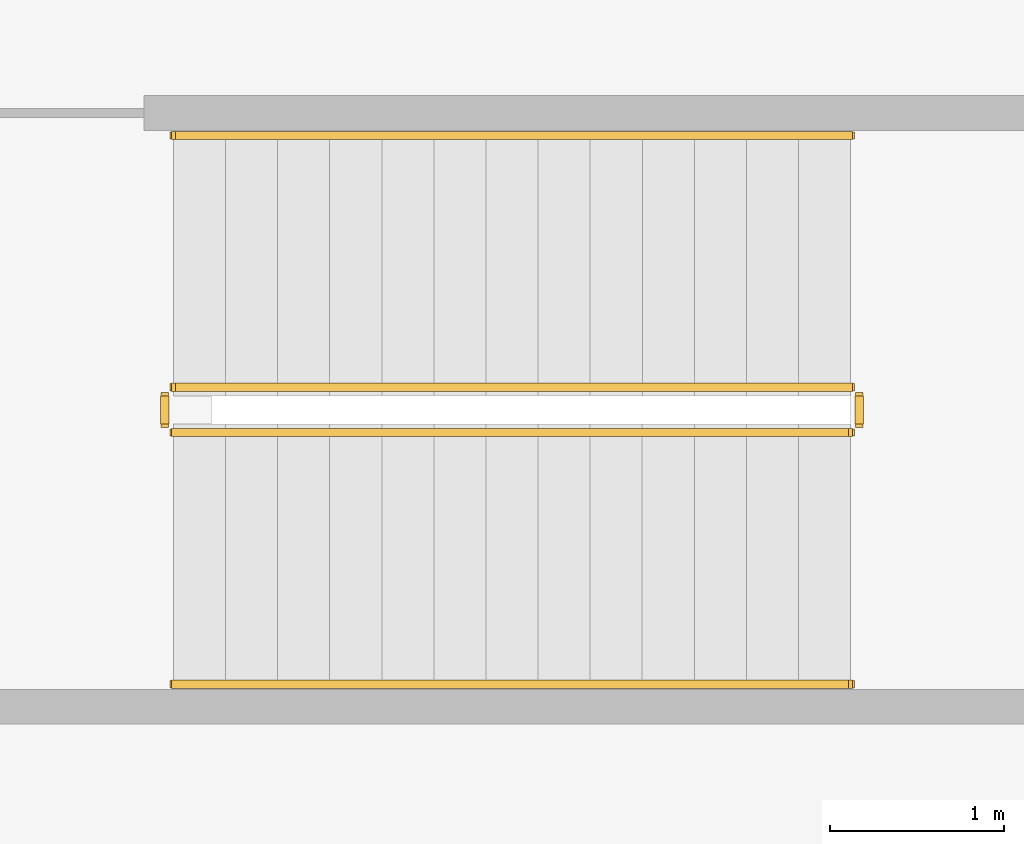
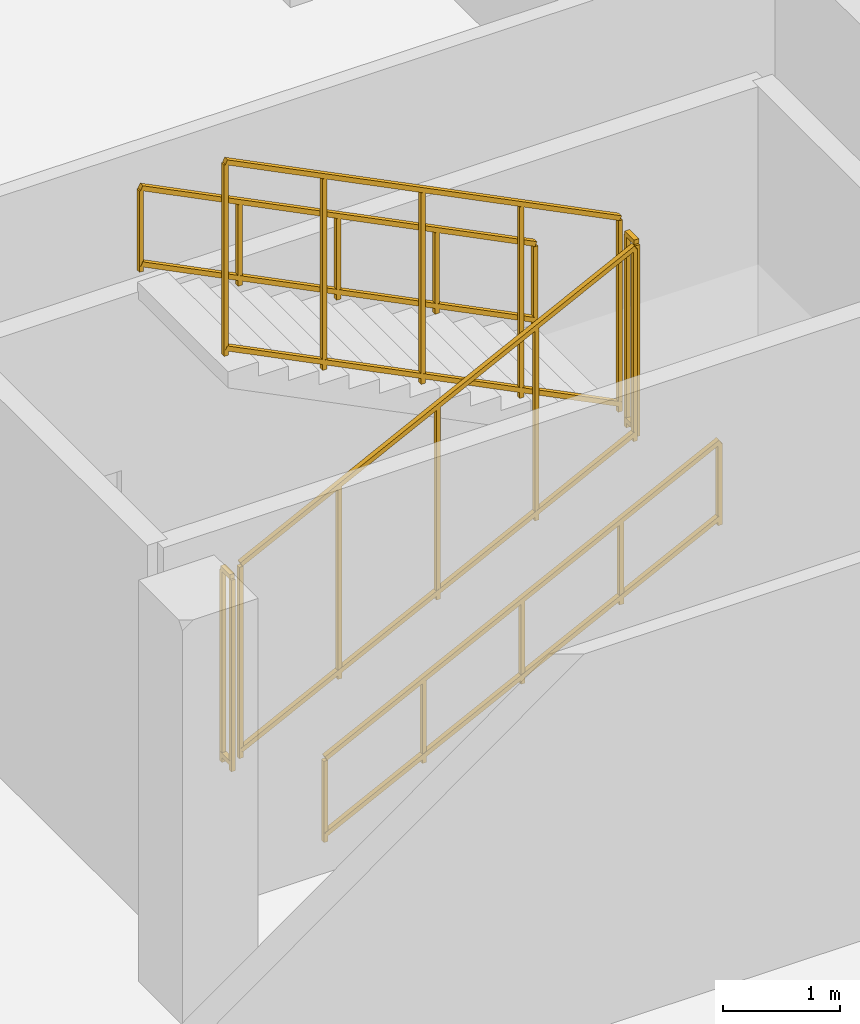
# One storey, part 17 of 19: 6 railings.
"""IFC4 building model written with IfcOpenShell, lengths in metres."""

from ifc_helpers import new_model, si_unit, direction, frame, origin, origin_2d, place, context, subcontext, project, spatial, rectangle, extrude, material, type_object, element, save


model = new_model("IFC4")

# Units and contexts
model_context = context("Model", 3, precision=1e-05, world=origin(), true_north=direction((0.0, 1.0)))
body_context = subcontext(model_context, "Body", "Model", "MODEL_VIEW")
ifc_project = project(units=[si_unit("LENGTHUNIT", "METRE"), si_unit("AREAUNIT", "SQUARE_METRE"), si_unit("VOLUMEUNIT", "CUBIC_METRE"), si_unit("PLANEANGLEUNIT", "RADIAN"), si_unit("MASSUNIT", "GRAM", prefix="KILO")], contexts=[model_context])

# Site, building, storey
site_placement = place(None, origin())
site = spatial("IfcSite", under=ifc_project, at=site_placement, CompositionType="ELEMENT")
building_placement = place(site_placement, origin())
building = spatial("IfcBuilding", under=site, at=building_placement, Name="Khorvyn Point Tower", CompositionType="ELEMENT")
storey_placement = place(building_placement, frame((0.0, 0.0, 17.39990234375)))
storey = spatial("IfcBuildingStorey", under=building, at=storey_placement, Name="L05", CompositionType="ELEMENT", Elevation=17.39990234375)

# Railings
ifc_material = material(Name="Stainless steel 1.4301", Category="steel")
railing_type_1 = type_object("IfcRailingType", Name="Stainless Steel 304 Stair Pitch Handrail 900", PredefinedType="HANDRAIL", material=ifc_material)
railing_1_placement = place(storey_placement, frame((25.949951171875, 8.610107421875, 0.150146484375)))
element("IfcRailing", 1, at=railing_1_placement, inside=storey, type_object=railing_type_1, Name="L05 ST-S3 stair handrail 1", PredefinedType="HANDRAIL", context=body_context, shape_type="SweptSolid", body=[
    extrude(rectangle(XDim=0.048095703125, YDim=0.048095703125, at=origin_2d()), frame((0.0, 0.0, 0.8759765625), z_axis=(0.894438388696, 0.0, 0.447191199406), x_axis=(0.0, 1.0, 0.0)), (0.0, 0.0, 1.0), 4.3603515625),
    extrude(rectangle(XDim=0.048095703125, YDim=0.048095703125, at=origin_2d()), frame((0.0, 0.0, 0.080078125), z_axis=(0.894438388696, 0.0, 0.447191199406), x_axis=(0.0, 1.0, 0.0)), (0.0, 0.0, 1.0), 4.3603515625),
    extrude(rectangle(XDim=0.0419921875, YDim=0.0419921875, at=origin_2d()), origin(), (0.0, 0.0, 1.0), 0.851806640625),
    extrude(rectangle(XDim=0.0419921875, YDim=0.0419921875, at=origin_2d()), frame((0.97509765625, 0.0, 0.487548828125)), (0.0, 0.0, 1.0), 0.851806640625),
    extrude(rectangle(XDim=0.0419921875, YDim=0.0419921875, at=origin_2d()), frame((1.9501953125, 0.0, 0.97509765625)), (0.0, 0.0, 1.0), 0.851806640625),
    extrude(rectangle(XDim=0.0419921875, YDim=0.0419921875, at=origin_2d()), frame((2.925048828125, 0.0, 1.46240234375)), (0.0, 0.0, 1.0), 0.851806640625),
    extrude(rectangle(XDim=0.0419921875, YDim=0.0419921875, at=origin_2d()), frame((3.900146484375, 0.0, 1.949951171875)), (0.0, 0.0, 1.0), 0.851806640625),
])
railing_2_placement = place(storey_placement, frame((29.85009765625, 11.77001953125, 2.25)))
element("IfcRailing", 2, at=railing_2_placement, inside=storey, type_object=railing_type_1, Name="L05 ST-S3 stair handrail 2", PredefinedType="HANDRAIL", context=body_context, shape_type="SweptSolid", body=[
    extrude(rectangle(XDim=0.048095703125, YDim=0.048095703125, at=origin_2d()), frame((0.0, 0.0, 0.8759765625), z_axis=(-0.894415993023, 0.0, 0.447235990752), x_axis=(0.0, -1.0, 0.0)), (0.0, 0.0, 1.0), 4.360595703125),
    extrude(rectangle(XDim=0.048095703125, YDim=0.048095703125, at=origin_2d()), frame((0.0, 0.0, 0.080078125), z_axis=(-0.894415993023, 0.0, 0.447235990752), x_axis=(0.0, -1.0, 0.0)), (0.0, 0.0, 1.0), 4.360595703125),
    extrude(rectangle(XDim=0.0419921875, YDim=0.0419921875, at=origin_2d()), origin(), (0.0, 0.0, 1.0), 0.851806640625),
    extrude(rectangle(XDim=0.0419921875, YDim=0.0419921875, at=origin_2d()), frame((-0.97509765625, 0.0, 0.487548828125)), (0.0, 0.0, 1.0), 0.851806640625),
    extrude(rectangle(XDim=0.0419921875, YDim=0.0419921875, at=origin_2d()), frame((-1.9501953125, 0.0, 0.97509765625)), (0.0, 0.0, 1.0), 0.851806640625),
    extrude(rectangle(XDim=0.0419921875, YDim=0.0419921875, at=origin_2d()), frame((-2.925048828125, 0.0, 1.462646484375)), (0.0, 0.0, 1.0), 0.851806640625),
    extrude(rectangle(XDim=0.0419921875, YDim=0.0419921875, at=origin_2d()), frame((-3.900146484375, 0.0, 1.9501953125)), (0.0, 0.0, 1.0), 0.851806640625),
])
railing_type_2 = type_object("IfcRailingType", Name="Stainless Steel 304 Stair Well Guardrail 1400", PredefinedType="GUARDRAIL", material=ifc_material)
railing_3_placement = place(storey_placement, frame((25.949951171875, 10.06005859375, 0.150146484375)))
element("IfcRailing", 3, at=railing_3_placement, inside=storey, type_object=railing_type_2, Name="L05 ST-S3 stair guard 1", PredefinedType="GUARDRAIL", context=body_context, shape_type="SweptSolid", body=[
    extrude(rectangle(XDim=0.048095703125, YDim=0.048095703125, at=origin_2d()), frame((0.0, 0.0, 2.02587890625), z_axis=(0.894438388696, 0.0, 0.447191199406), x_axis=(0.0, 1.0, 0.0)), (0.0, 0.0, 1.0), 4.3603515625),
    extrude(rectangle(XDim=0.048095703125, YDim=0.048095703125, at=origin_2d()), frame((0.0, 0.0, 0.080078125), z_axis=(0.894438388696, 0.0, 0.447191199406), x_axis=(0.0, 1.0, 0.0)), (0.0, 0.0, 1.0), 4.3603515625),
    extrude(rectangle(XDim=0.0419921875, YDim=0.0419921875, at=origin_2d()), origin(), (0.0, 0.0, 1.0), 2.001953125),
    extrude(rectangle(XDim=0.0419921875, YDim=0.0419921875, at=origin_2d()), frame((0.97509765625, 0.0, 0.487548828125)), (0.0, 0.0, 1.0), 2.001953125),
    extrude(rectangle(XDim=0.0419921875, YDim=0.0419921875, at=origin_2d()), frame((1.9501953125, 0.0, 0.97509765625)), (0.0, 0.0, 1.0), 2.001953125),
    extrude(rectangle(XDim=0.0419921875, YDim=0.0419921875, at=origin_2d()), frame((2.925048828125, 0.0, 1.46240234375)), (0.0, 0.0, 1.0), 2.001953125),
    extrude(rectangle(XDim=0.0419921875, YDim=0.0419921875, at=origin_2d()), frame((3.900146484375, 0.0, 1.949951171875)), (0.0, 0.0, 1.0), 2.001953125),
])
railing_4_placement = place(storey_placement, frame((29.89990234375, 10.110107421875, 2.10009765625)))
element("IfcRailing", 4, at=railing_4_placement, inside=storey, type_object=railing_type_2, Name="L05 ST-S3 stair guard 2", PredefinedType="GUARDRAIL", context=body_context, shape_type="SweptSolid", body=[
    extrude(rectangle(XDim=0.048095703125, YDim=0.048095703125, at=origin_2d()), frame((0.0, 0.0, 2.02587890625), z_axis=(0.0, 1.0, 0.0), x_axis=(-1.0, 0.0, 0.0)), (0.0, 0.0, 1.0), 0.159912109375),
    extrude(rectangle(XDim=0.048095703125, YDim=0.048095703125, at=origin_2d()), frame((0.0, 0.0, 0.080078125), z_axis=(0.0, 1.0, 0.0), x_axis=(-1.0, 0.0, 0.0)), (0.0, 0.0, 1.0), 0.159912109375),
    extrude(rectangle(XDim=0.0419921875, YDim=0.0419921875, at=origin_2d()), origin(), (0.0, 0.0, 1.0), 2.001953125),
    extrude(rectangle(XDim=0.0419921875, YDim=0.0419921875, at=origin_2d()), frame((0.0, 0.159912109375, 0.0)), (0.0, 0.0, 1.0), 2.001953125),
])
railing_5_placement = place(storey_placement, frame((29.85009765625, 10.320068359375, 2.25)))
element("IfcRailing", 5, at=railing_5_placement, inside=storey, type_object=railing_type_2, Name="L05 ST-S3 stair guard 3", PredefinedType="GUARDRAIL", context=body_context, shape_type="SweptSolid", body=[
    extrude(rectangle(XDim=0.048095703125, YDim=0.048095703125, at=origin_2d()), frame((0.0, 0.0, 2.02587890625), z_axis=(-0.894415993023, 0.0, 0.447235990752), x_axis=(0.0, -1.0, 0.0)), (0.0, 0.0, 1.0), 4.360595703125),
    extrude(rectangle(XDim=0.048095703125, YDim=0.048095703125, at=origin_2d()), frame((0.0, 0.0, 0.080078125), z_axis=(-0.894415993023, 0.0, 0.447235990752), x_axis=(0.0, -1.0, 0.0)), (0.0, 0.0, 1.0), 4.360595703125),
    extrude(rectangle(XDim=0.0419921875, YDim=0.0419921875, at=origin_2d()), origin(), (0.0, 0.0, 1.0), 2.001953125),
    extrude(rectangle(XDim=0.0419921875, YDim=0.0419921875, at=origin_2d()), frame((-0.97509765625, 0.0, 0.487548828125)), (0.0, 0.0, 1.0), 2.001953125),
    extrude(rectangle(XDim=0.0419921875, YDim=0.0419921875, at=origin_2d()), frame((-1.9501953125, 0.0, 0.97509765625)), (0.0, 0.0, 1.0), 2.001953125),
    extrude(rectangle(XDim=0.0419921875, YDim=0.0419921875, at=origin_2d()), frame((-2.925048828125, 0.0, 1.462646484375)), (0.0, 0.0, 1.0), 2.001953125),
    extrude(rectangle(XDim=0.0419921875, YDim=0.0419921875, at=origin_2d()), frame((-3.900146484375, 0.0, 1.9501953125)), (0.0, 0.0, 1.0), 2.001953125),
])
railing_6_placement = place(storey_placement, frame((25.89990234375, 10.110107421875, 0.0)))
element("IfcRailing", 6, at=railing_6_placement, inside=storey, type_object=railing_type_2, Name="L05 ST-S3 stair guard 4", PredefinedType="GUARDRAIL", context=body_context, shape_type="SweptSolid", body=[
    extrude(rectangle(XDim=0.048095703125, YDim=0.048095703125, at=origin_2d()), frame((0.0, 0.0, 2.02587890625), z_axis=(0.0, 1.0, 0.0), x_axis=(-1.0, 0.0, 0.0)), (0.0, 0.0, 1.0), 0.159912109375),
    extrude(rectangle(XDim=0.048095703125, YDim=0.048095703125, at=origin_2d()), frame((0.0, 0.0, 0.080078125), z_axis=(0.0, 1.0, 0.0), x_axis=(-1.0, 0.0, 0.0)), (0.0, 0.0, 1.0), 0.159912109375),
    extrude(rectangle(XDim=0.0419921875, YDim=0.0419921875, at=origin_2d()), origin(), (0.0, 0.0, 1.0), 2.001953125),
    extrude(rectangle(XDim=0.0419921875, YDim=0.0419921875, at=origin_2d()), frame((0.0, 0.159912109375, 0.0)), (0.0, 0.0, 1.0), 2.001953125),
])

save(model, "model.ifc")
